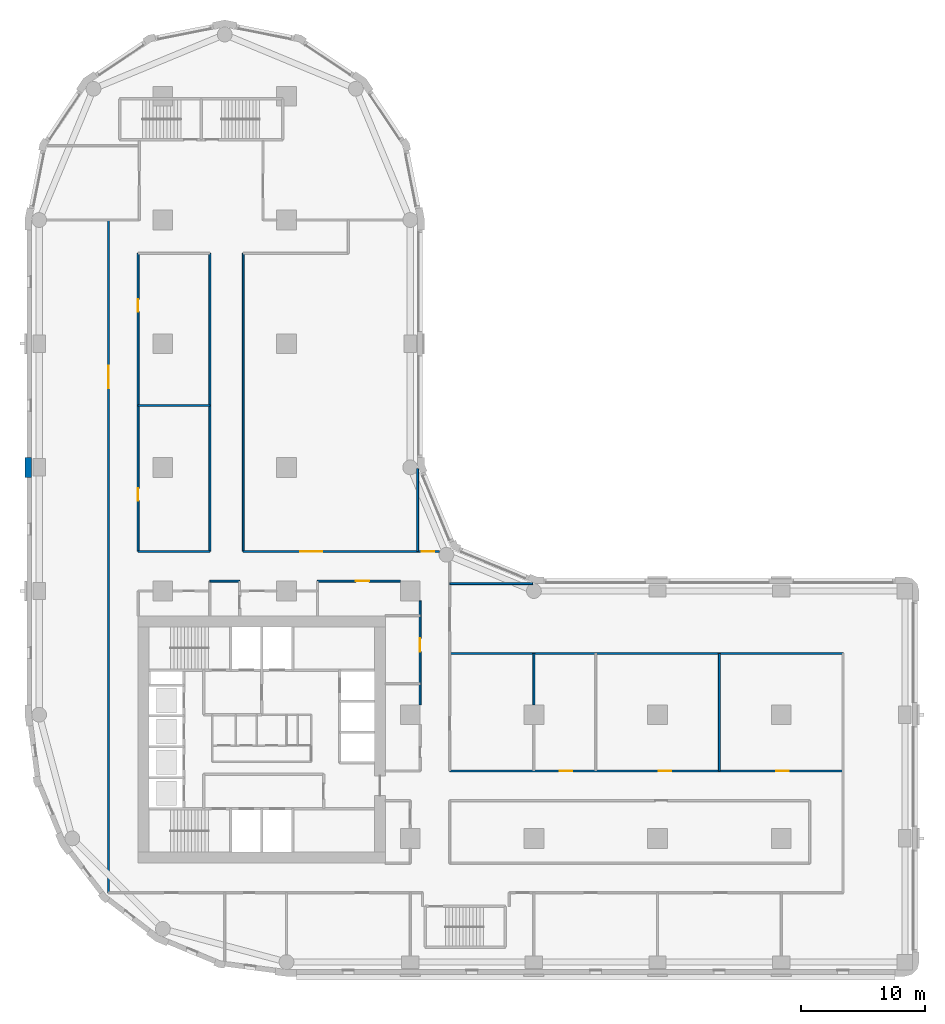
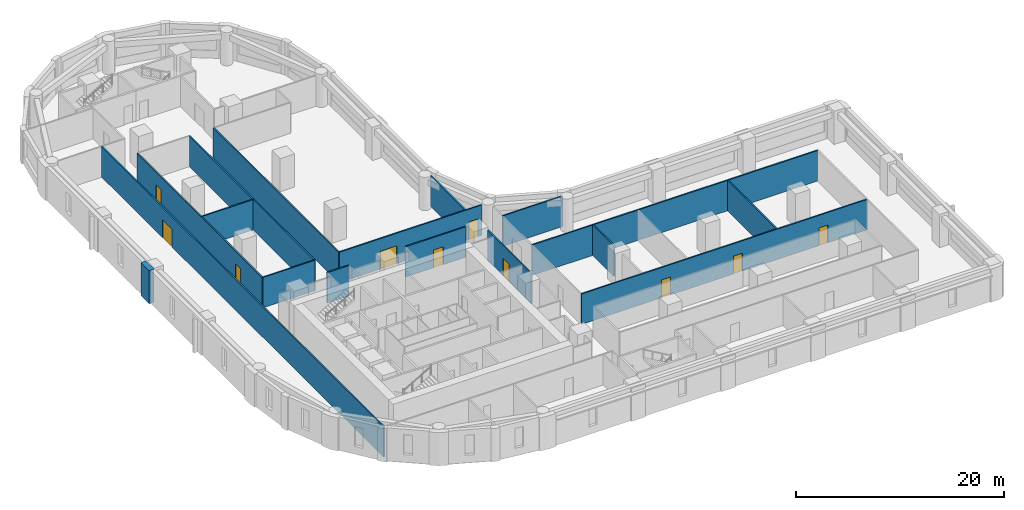
# One storey, part 5 of 11: 17 walls, 10 doors, 10 openings.
"""IFC4 building model written with IfcOpenShell, lengths in metres."""

from ifc_helpers import new_model, si_unit, direction, frame, frame_2d, origin, place, context, subcontext, project, spatial, polyline, rectangle, outline, extrude, material, layer, layer_set, type_object, element, fill, save


model = new_model("IFC4")

# Units and contexts
model_context = context("Model", 3, precision=1e-05, world=origin(), true_north=direction((0.0, 1.0)))
body_context = subcontext(model_context, "Body", "Model", "MODEL_VIEW")
ifc_project = project(units=[si_unit("LENGTHUNIT", "METRE"), si_unit("AREAUNIT", "SQUARE_METRE"), si_unit("VOLUMEUNIT", "CUBIC_METRE"), si_unit("PLANEANGLEUNIT", "RADIAN"), si_unit("MASSUNIT", "GRAM", prefix="KILO")], contexts=[model_context])

# Site, building, storey
site_placement = place(None, origin())
site = spatial("IfcSite", under=ifc_project, at=site_placement, CompositionType="ELEMENT")
building_placement = place(site_placement, origin())
building = spatial("IfcBuilding", under=site, at=building_placement, Name="Qaws Garden Tower", CompositionType="ELEMENT")
storey_placement = place(building_placement, frame((0.0, 0.0, 90.0)))
storey = spatial("IfcBuildingStorey", under=building, at=storey_placement, Name="L22", CompositionType="ELEMENT", Elevation=90.0)

# Wall
ifc_material_1 = material(Name="Clay facing brick masonry", Category="masonry")
ifc_layer_1 = layer(ifc_material_1, 0.550048828125)
ifc_layer_set_1 = layer_set([ifc_layer_1], Name="Clay facing brick masonry")
wall_type_1 = type_object("IfcWallType", Name="Brick pier 550 x 1600", PredefinedType="SOLIDWALL", material=ifc_layer_set_1)
wall_1_placement = place(storey_placement, origin())
element("IfcWall", 1, at=wall_1_placement, inside=storey, type_object=wall_type_1, Name="E-L22-pier-25", PredefinedType="SOLIDWALL", context=body_context, shape_type="SweptSolid", body=[
    extrude(outline(polyline([(-1.0, 40.800048828125), (-1.14990234375, 40.800048828125), (-1.14990234375, 40.0), (-1.14990234375, 39.199951171875), (-1.0, 39.199951171875), (-0.60009765625, 39.199951171875), (-0.60009765625, 40.0), (-0.60009765625, 40.800048828125), (-1.0, 40.800048828125)])), origin(), (0.0, 0.0, 1.0), 3.89990234375),
])

# Wall, opening, door
ifc_material_2 = material(Name="Gypsum board partition")
ifc_layer_2 = layer(ifc_material_2, 0.14990234375)
ifc_layer_set_2 = layer_set([ifc_layer_2], Name="Gypsum board partition")
wall_type_2 = type_object("IfcWallType", Name="PARTITION 150 EI 60", PredefinedType="PARTITIONING", material=ifc_layer_set_2)
wall_2_placement = place(storey_placement, frame((5.60009765625, 5.60009765625, 0.0), z_axis=(0.0, 0.0, 1.0), x_axis=(0.0, 1.0, 0.0)))
wall_2 = element("IfcWall", 2, at=wall_2_placement, inside=storey, type_object=wall_type_2, Name="O-L22-wall-001", PredefinedType="PARTITIONING", context=body_context, shape_type="SweptSolid", body=[
    extrude(rectangle(XDim=54.39990234375, YDim=0.14990234375, at=frame_2d((27.199951171875, 0.0))), origin(), (0.0, 0.0, 1.0), 3.580078125),
])
opening_1_placement = place(wall_2_placement, frame((40.800048828125, 0.0, 0.0)))
opening_1 = element("IfcOpeningElement", 3, at=opening_1_placement, cuts=wall_2, Name="Opening A701", PredefinedType="OPENING", context=body_context, shape_type="SweptSolid", body=[
    extrude(rectangle(XDim=1.800048828125, YDim=2.10009765625, at=frame_2d((0.89990234375, 1.050048828125))), frame((0.0, 0.0849609375, 0.0), z_axis=(0.0, -1.0, 0.0), x_axis=(1.0, 0.0, 0.0)), (0.0, 0.0, 1.0), 0.169921875),
])
ifc_material_3 = material(Name="Timber door leaf", Category="wood")
door_type_1 = type_object("IfcDoorType", Name="DOUBLE DOOR 1800 X 2100", OperationType="DOUBLE_DOOR_SINGLE_SWING", PredefinedType="DOOR", material=ifc_material_3)
door_1_placement = place(opening_1_placement, origin())
door_1 = element("IfcDoor", 4, at=door_1_placement, inside=storey, type_object=door_type_1, Name="O-L22-door-001", OperationType="DOUBLE_DOOR_SINGLE_SWING", OverallHeight=2.10009765625, OverallWidth=1.800048828125, PredefinedType="DOOR", context=body_context, shape_type="SweptSolid", body=[
    extrude(rectangle(XDim=1.800048828125, YDim=2.10009765625, at=frame_2d((0.89990234375, 1.050048828125))), frame((0.0, 0.02490234375, 0.0), z_axis=(0.0, -1.0, 0.0), x_axis=(1.0, 0.0, 0.0)), (0.0, 0.0, 1.0), 0.050048828125),
])
fill(opening_1, door_1)

# Wall, openings, doors
wall_3_placement = place(storey_placement, frame((8.0, 33.199951171875, 0.0), z_axis=(0.0, 0.0, 1.0), x_axis=(0.0, 1.0, 0.0)))
wall_3 = element("IfcWall", 5, at=wall_3_placement, inside=storey, type_object=wall_type_2, Name="O-L22-wall-003", PredefinedType="PARTITIONING", context=body_context, shape_type="SweptSolid", body=[
    extrude(rectangle(XDim=24.10009765625, YDim=0.14990234375, at=frame_2d((12.050048828125, 0.0))), origin(), (0.0, 0.0, 1.0), 3.580078125),
])
opening_2_placement = place(wall_3_placement, frame((4.10009765625, 0.0, 0.0)))
opening_2 = element("IfcOpeningElement", 6, at=opening_2_placement, cuts=wall_3, Name="Opening A712", PredefinedType="OPENING", context=body_context, shape_type="SweptSolid", body=[
    extrude(rectangle(XDim=1.0, YDim=2.10009765625, at=frame_2d((0.5, 1.050048828125))), frame((0.0, 0.0849609375, 0.0), z_axis=(0.0, -1.0, 0.0), x_axis=(1.0, 0.0, 0.0)), (0.0, 0.0, 1.0), 0.169921875),
])
opening_3_placement = place(wall_3_placement, frame((19.39990234375, 0.0, 0.0)))
opening_3 = element("IfcOpeningElement", 7, at=opening_3_placement, cuts=wall_3, Name="Opening A714", PredefinedType="OPENING", context=body_context, shape_type="SweptSolid", body=[
    extrude(rectangle(XDim=1.0, YDim=2.10009765625, at=frame_2d((0.5, 1.050048828125))), frame((0.0, 0.0849609375, 0.0), z_axis=(0.0, -1.0, 0.0), x_axis=(1.0, 0.0, 0.0)), (0.0, 0.0, 1.0), 0.169921875),
])
ifc_material_4 = material(Name="Timber door leaf", Category="wood")
door_type_2 = type_object("IfcDoorType", Name="TENANCY ENTRANCE DOOR 1000 X 2100", OperationType="SINGLE_SWING_LEFT", PredefinedType="DOOR", material=ifc_material_4)
door_2_placement = place(opening_2_placement, frame((1.0, 0.0, 0.0), z_axis=(0.0, 0.0, 1.0), x_axis=(-1.0, 0.0, 0.0)))
door_2 = element("IfcDoor", 8, at=door_2_placement, inside=storey, type_object=door_type_2, Name="O-L22-door-012", OperationType="SINGLE_SWING_RIGHT", OverallHeight=2.10009765625, OverallWidth=1.0, PredefinedType="DOOR", context=body_context, shape_type="SweptSolid", body=[
    extrude(rectangle(XDim=1.0, YDim=2.10009765625, at=frame_2d((0.5, 1.050048828125))), frame((0.0, 0.02490234375, 0.0), z_axis=(0.0, -1.0, 0.0), x_axis=(1.0, 0.0, 0.0)), (0.0, 0.0, 1.0), 0.050048828125),
])
fill(opening_2, door_2)
door_3_placement = place(opening_3_placement, frame((1.0, 0.0, 0.0), z_axis=(0.0, 0.0, 1.0), x_axis=(-1.0, 0.0, 0.0)))
door_3 = element("IfcDoor", 9, at=door_3_placement, inside=storey, type_object=door_type_2, Name="O-L22-door-014", OperationType="SINGLE_SWING_RIGHT", OverallHeight=2.10009765625, OverallWidth=1.0, PredefinedType="DOOR", context=body_context, shape_type="SweptSolid", body=[
    extrude(rectangle(XDim=1.0, YDim=2.10009765625, at=frame_2d((0.5, 1.050048828125))), frame((0.0, 0.02490234375, 0.0), z_axis=(0.0, -1.0, 0.0), x_axis=(1.0, 0.0, 0.0)), (0.0, 0.0, 1.0), 0.050048828125),
])
fill(opening_3, door_3)

# Walls
for number, where, z_axis, x_axis, name in (
    (10, (13.800048828125, 33.199951171875, 0.0), (0.0, 0.0, 1.0), (0.0, 1.0, 0.0), "O-L22-wall-006"),
    (11, (16.5, 33.199951171875, 0.0), (0.0, 0.0, 1.0), (0.0, 1.0, 0.0), "O-L22-wall-009"),
):
    element("IfcWall", number, at=place(storey_placement, frame(where, z_axis=z_axis, x_axis=x_axis)), inside=storey, type_object=wall_type_2, Name=name, PredefinedType="PARTITIONING", context=body_context, shape_type="SweptSolid", body=[
        extrude(rectangle(XDim=24.10009765625, YDim=0.14990234375, at=frame_2d((12.050048828125, 0.0))), origin(), (0.0, 0.0, 1.0), 3.580078125),
    ])
wall_4_placement = place(storey_placement, frame((30.60009765625, 33.199951171875, 0.0), z_axis=(0.0, 0.0, 1.0), x_axis=(0.0, 1.0, 0.0)))
element("IfcWall", 12, at=wall_4_placement, inside=storey, type_object=wall_type_2, Name="O-L22-wall-017", PredefinedType="PARTITIONING", context=body_context, shape_type="SweptSolid", body=[
    extrude(rectangle(XDim=6.698974609375, YDim=0.14990234375, at=frame_2d((3.349609375, 0.0))), origin(), (0.0, 0.0, 1.0), 3.580078125),
])

# Wall, opening, door
wall_5_placement = place(storey_placement, frame((30.800048828125, 20.800048828125, 0.0), z_axis=(0.0, 0.0, 1.0), x_axis=(0.0, 1.0, 0.0)))
wall_5 = element("IfcWall", 13, at=wall_5_placement, inside=storey, type_object=wall_type_2, Name="O-L22-wall-019", PredefinedType="PARTITIONING", context=body_context, shape_type="SweptSolid", body=[
    extrude(rectangle(XDim=8.39990234375, YDim=0.14990234375, at=frame_2d((4.199951171875, 0.0))), origin(), (0.0, 0.0, 1.0), 3.580078125),
])
opening_4_placement = place(wall_5_placement, frame((4.300048828125, 0.0, 0.0)))
opening_4 = element("IfcOpeningElement", 14, at=opening_4_placement, cuts=wall_5, Name="Opening A708", PredefinedType="OPENING", context=body_context, shape_type="SweptSolid", body=[
    extrude(rectangle(XDim=1.10009765625, YDim=2.10009765625, at=frame_2d((0.550048828125, 1.050048828125))), frame((0.0, 0.0849609375, 0.0), z_axis=(0.0, -1.0, 0.0), x_axis=(1.0, 0.0, 0.0)), (0.0, 0.0, 1.0), 0.169921875),
])
ifc_material_5 = material(Name="Timber door leaf", Category="wood")
door_type_3 = type_object("IfcDoorType", Name="SERVICE ROOM DOOR 1100 X 2100", OperationType="SINGLE_SWING_LEFT", PredefinedType="DOOR", material=ifc_material_5)
door_4_placement = place(opening_4_placement, origin())
door_4 = element("IfcDoor", 15, at=door_4_placement, inside=storey, type_object=door_type_3, Name="O-L22-door-008", OperationType="SINGLE_SWING_RIGHT", OverallHeight=2.10009765625, OverallWidth=1.10009765625, PredefinedType="DOOR", context=body_context, shape_type="SweptSolid", body=[
    extrude(rectangle(XDim=1.10009765625, YDim=2.10009765625, at=frame_2d((0.550048828125, 1.050048828125))), frame((0.0, 0.02490234375, 0.0), z_axis=(0.0, -1.0, 0.0), x_axis=(1.0, 0.0, 0.0)), (0.0, 0.0, 1.0), 0.050048828125),
])
fill(opening_4, door_4)

# Walls
wall_6_placement = place(storey_placement, frame((40.0, 20.800048828125, 0.0), z_axis=(0.0, 0.0, 1.0), x_axis=(0.0, 1.0, 0.0)))
element("IfcWall", 16, at=wall_6_placement, inside=storey, type_object=wall_type_2, Name="O-L22-wall-026", PredefinedType="PARTITIONING", context=body_context, shape_type="SweptSolid", body=[
    extrude(rectangle(XDim=4.14990234375, YDim=0.14990234375, at=frame_2d((2.074951171875, 0.0))), origin(), (0.0, 0.0, 1.0), 3.580078125),
])
wall_7_placement = place(storey_placement, frame((55.0, 15.449951171875, 0.0), z_axis=(0.0, 0.0, 1.0), x_axis=(0.0, 1.0, 0.0)))
element("IfcWall", 17, at=wall_7_placement, inside=storey, type_object=wall_type_2, Name="O-L22-wall-029", PredefinedType="PARTITIONING", context=body_context, shape_type="SweptSolid", body=[
    extrude(rectangle(XDim=9.5, YDim=0.14990234375, at=frame_2d((4.75, 0.0))), origin(), (0.0, 0.0, 1.0), 3.580078125),
])

# Wall, openings, doors
wall_8_placement = place(storey_placement, frame((33.199951171875, 15.449951171875, 0.0), z_axis=(0.0, 0.0, 1.0), x_axis=(1.0, 0.0, 0.0)))
wall_8 = element("IfcWall", 18, at=wall_8_placement, inside=storey, type_object=wall_type_2, Name="O-L22-wall-040", PredefinedType="PARTITIONING", context=body_context, shape_type="SweptSolid", body=[
    extrude(rectangle(XDim=31.800048828125, YDim=0.14990234375, at=frame_2d((15.89990234375, 0.0))), origin(), (0.0, 0.0, 1.0), 3.580078125),
])
opening_5_placement = place(wall_8_placement, frame((16.89990234375, 0.0, 0.0)))
opening_5 = element("IfcOpeningElement", 19, at=opening_5_placement, cuts=wall_8, Name="Opening A703", PredefinedType="OPENING", context=body_context, shape_type="SweptSolid", body=[
    extrude(rectangle(XDim=1.0, YDim=2.10009765625, at=frame_2d((0.5, 1.050048828125))), frame((0.0, 0.0849609375, 0.0), z_axis=(0.0, -1.0, 0.0), x_axis=(1.0, 0.0, 0.0)), (0.0, 0.0, 1.0), 0.169921875),
])
opening_6_placement = place(wall_8_placement, frame((26.39990234375, 0.0, 0.0)))
opening_6 = element("IfcOpeningElement", 20, at=opening_6_placement, cuts=wall_8, Name="Opening A704", PredefinedType="OPENING", context=body_context, shape_type="SweptSolid", body=[
    extrude(rectangle(XDim=1.0, YDim=2.10009765625, at=frame_2d((0.5, 1.050048828125))), frame((0.0, 0.0849609375, 0.0), z_axis=(0.0, -1.0, 0.0), x_axis=(1.0, 0.0, 0.0)), (0.0, 0.0, 1.0), 0.169921875),
])
opening_7_placement = place(wall_8_placement, frame((8.89990234375, 0.0, 0.0)))
opening_7 = element("IfcOpeningElement", 21, at=opening_7_placement, cuts=wall_8, Name="Opening A725", PredefinedType="OPENING", context=body_context, shape_type="SweptSolid", body=[
    extrude(rectangle(XDim=1.0, YDim=2.10009765625, at=frame_2d((0.5, 1.050048828125))), frame((0.0, 0.0849609375, 0.0), z_axis=(0.0, -1.0, 0.0), x_axis=(1.0, 0.0, 0.0)), (0.0, 0.0, 1.0), 0.169921875),
])
door_5_placement = place(opening_5_placement, origin())
door_5 = element("IfcDoor", 22, at=door_5_placement, inside=storey, type_object=door_type_2, Name="O-L22-door-003", OperationType="SINGLE_SWING_LEFT", OverallHeight=2.10009765625, OverallWidth=1.0, PredefinedType="DOOR", context=body_context, shape_type="SweptSolid", body=[
    extrude(rectangle(XDim=1.0, YDim=2.10009765625, at=frame_2d((0.5, 1.050048828125))), frame((0.0, 0.02490234375, 0.0), z_axis=(0.0, -1.0, 0.0), x_axis=(1.0, 0.0, 0.0)), (0.0, 0.0, 1.0), 0.050048828125),
])
fill(opening_5, door_5)
door_6_placement = place(opening_6_placement, origin())
door_6 = element("IfcDoor", 23, at=door_6_placement, inside=storey, type_object=door_type_2, Name="O-L22-door-004", OperationType="SINGLE_SWING_LEFT", OverallHeight=2.10009765625, OverallWidth=1.0, PredefinedType="DOOR", context=body_context, shape_type="SweptSolid", body=[
    extrude(rectangle(XDim=1.0, YDim=2.10009765625, at=frame_2d((0.5, 1.050048828125))), frame((0.0, 0.02490234375, 0.0), z_axis=(0.0, -1.0, 0.0), x_axis=(1.0, 0.0, 0.0)), (0.0, 0.0, 1.0), 0.050048828125),
])
fill(opening_6, door_6)
door_7_placement = place(opening_7_placement, origin())
door_7 = element("IfcDoor", 24, at=door_7_placement, inside=storey, type_object=door_type_2, Name="O-L22-door-025", OperationType="SINGLE_SWING_LEFT", OverallHeight=2.10009765625, OverallWidth=1.0, PredefinedType="DOOR", context=body_context, shape_type="SweptSolid", body=[
    extrude(rectangle(XDim=1.0, YDim=2.10009765625, at=frame_2d((0.5, 1.050048828125))), frame((0.0, 0.02490234375, 0.0), z_axis=(0.0, -1.0, 0.0), x_axis=(1.0, 0.0, 0.0)), (0.0, 0.0, 1.0), 0.050048828125),
])
fill(opening_7, door_7)

# Walls
wall_9_placement = place(storey_placement, frame((33.199951171875, 24.949951171875, 0.0), z_axis=(0.0, 0.0, 1.0), x_axis=(1.0, 0.0, 0.0)))
element("IfcWall", 25, at=wall_9_placement, inside=storey, type_object=wall_type_2, Name="O-L22-wall-042", PredefinedType="PARTITIONING", context=body_context, shape_type="SweptSolid", body=[
    extrude(rectangle(XDim=31.800048828125, YDim=0.14990234375, at=frame_2d((15.89990234375, 0.0))), origin(), (0.0, 0.0, 1.0), 3.580078125),
])
wall_10_placement = place(storey_placement, frame((33.199951171875, 30.60009765625, 0.0), z_axis=(0.0, 0.0, 1.0), x_axis=(1.0, 0.0, 0.0)))
element("IfcWall", 26, at=wall_10_placement, inside=storey, type_object=wall_type_2, Name="O-L22-wall-048", PredefinedType="PARTITIONING", context=body_context, shape_type="SweptSolid", body=[
    extrude(rectangle(XDim=6.698974609375, YDim=0.14990234375, at=frame_2d((3.349609375, 0.0))), origin(), (0.0, 0.0, 1.0), 3.580078125),
])
wall_11_placement = place(storey_placement, frame((13.800048828125, 30.800048828125, 0.0), z_axis=(0.0, 0.0, 1.0), x_axis=(1.0, 0.0, 0.0)))
element("IfcWall", 27, at=wall_11_placement, inside=storey, type_object=wall_type_2, Name="O-L22-wall-049", PredefinedType="PARTITIONING", context=body_context, shape_type="SweptSolid", body=[
    extrude(rectangle(XDim=2.39990234375, YDim=0.14990234375, at=frame_2d((1.199951171875, 0.0))), origin(), (0.0, 0.0, 1.0), 3.580078125),
])

# Wall, opening, door
wall_12_placement = place(storey_placement, frame((22.5, 30.800048828125, 0.0), z_axis=(0.0, 0.0, 1.0), x_axis=(1.0, 0.0, 0.0)))
wall_12 = element("IfcWall", 28, at=wall_12_placement, inside=storey, type_object=wall_type_2, Name="O-L22-wall-050", PredefinedType="PARTITIONING", context=body_context, shape_type="SweptSolid", body=[
    extrude(rectangle(XDim=6.699951171875, YDim=0.14990234375, at=frame_2d((3.35009765625, 0.0))), origin(), (0.0, 0.0, 1.0), 3.580078125),
])
opening_8_placement = place(wall_12_placement, frame((3.10009765625, 0.0, 0.0)))
opening_8 = element("IfcOpeningElement", 29, at=opening_8_placement, cuts=wall_12, Name="Opening A711", PredefinedType="OPENING", context=body_context, shape_type="SweptSolid", body=[
    extrude(rectangle(XDim=1.10009765625, YDim=2.10009765625, at=frame_2d((0.550048828125, 1.050048828125))), frame((0.0, 0.0849609375, 0.0), z_axis=(0.0, -1.0, 0.0), x_axis=(1.0, 0.0, 0.0)), (0.0, 0.0, 1.0), 0.169921875),
])
door_8_placement = place(opening_8_placement, frame((1.10009765625, 0.0, 0.0), z_axis=(0.0, 0.0, 1.0), x_axis=(-1.0, 0.0, 0.0)))
door_8 = element("IfcDoor", 30, at=door_8_placement, inside=storey, type_object=door_type_3, Name="O-L22-door-011", OperationType="SINGLE_SWING_LEFT", OverallHeight=2.10009765625, OverallWidth=1.10009765625, PredefinedType="DOOR", context=body_context, shape_type="SweptSolid", body=[
    extrude(rectangle(XDim=1.10009765625, YDim=2.10009765625, at=frame_2d((0.550048828125, 1.050048828125))), frame((0.0, 0.02490234375, 0.0), z_axis=(0.0, -1.0, 0.0), x_axis=(1.0, 0.0, 0.0)), (0.0, 0.0, 1.0), 0.050048828125),
])
fill(opening_8, door_8)

# Wall
wall_13_placement = place(storey_placement, frame((8.0, 33.199951171875, 0.0), z_axis=(0.0, 0.0, 1.0), x_axis=(1.0, 0.0, 0.0)))
element("IfcWall", 31, at=wall_13_placement, inside=storey, type_object=wall_type_2, Name="O-L22-wall-051", PredefinedType="PARTITIONING", context=body_context, shape_type="SweptSolid", body=[
    extrude(rectangle(XDim=5.800048828125, YDim=0.14990234375, at=frame_2d((2.89990234375, 0.0))), origin(), (0.0, 0.0, 1.0), 3.580078125),
])

# Wall, openings, doors
wall_14_placement = place(storey_placement, frame((16.5, 33.199951171875, 0.0), z_axis=(0.0, 0.0, 1.0), x_axis=(1.0, 0.0, 0.0)))
wall_14 = element("IfcWall", 32, at=wall_14_placement, inside=storey, type_object=wall_type_2, Name="O-L22-wall-052", PredefinedType="PARTITIONING", context=body_context, shape_type="SweptSolid", body=[
    extrude(rectangle(XDim=15.862060546875, YDim=0.14990234375, at=frame_2d((7.93115234375, 0.0))), origin(), (0.0, 0.0, 1.0), 3.580078125),
])
opening_9_placement = place(wall_14_placement, frame((4.60009765625, 0.0, 0.0)))
opening_9 = element("IfcOpeningElement", 33, at=opening_9_placement, cuts=wall_14, Name="Opening A715", PredefinedType="OPENING", context=body_context, shape_type="SweptSolid", body=[
    extrude(rectangle(XDim=1.800048828125, YDim=2.10009765625, at=frame_2d((0.89990234375, 1.050048828125))), frame((0.0, 0.0849609375, 0.0), z_axis=(0.0, -1.0, 0.0), x_axis=(1.0, 0.0, 0.0)), (0.0, 0.0, 1.0), 0.169921875),
])
opening_10_placement = place(wall_14_placement, frame((14.449951171875, 0.0, 0.0)))
opening_10 = element("IfcOpeningElement", 34, at=opening_10_placement, cuts=wall_14, Name="Opening A718", PredefinedType="OPENING", context=body_context, shape_type="SweptSolid", body=[
    extrude(rectangle(XDim=1.0, YDim=2.10009765625, at=frame_2d((0.5, 1.050048828125))), frame((0.0, 0.0849609375, 0.0), z_axis=(0.0, -1.0, 0.0), x_axis=(1.0, 0.0, 0.0)), (0.0, 0.0, 1.0), 0.169921875),
])
door_9_placement = place(opening_9_placement, origin())
door_9 = element("IfcDoor", 35, at=door_9_placement, inside=storey, type_object=door_type_1, Name="O-L22-door-015", OperationType="DOUBLE_DOOR_SINGLE_SWING", OverallHeight=2.10009765625, OverallWidth=1.800048828125, PredefinedType="DOOR", context=body_context, shape_type="SweptSolid", body=[
    extrude(rectangle(XDim=1.800048828125, YDim=2.10009765625, at=frame_2d((0.89990234375, 1.050048828125))), frame((0.0, 0.02490234375, 0.0), z_axis=(0.0, -1.0, 0.0), x_axis=(1.0, 0.0, 0.0)), (0.0, 0.0, 1.0), 0.050048828125),
])
fill(opening_9, door_9)
door_10_placement = place(opening_10_placement, origin())
door_10 = element("IfcDoor", 36, at=door_10_placement, inside=storey, type_object=door_type_2, Name="O-L22-door-018", OperationType="SINGLE_SWING_LEFT", OverallHeight=2.10009765625, OverallWidth=1.0, PredefinedType="DOOR", context=body_context, shape_type="SweptSolid", body=[
    extrude(rectangle(XDim=1.0, YDim=2.10009765625, at=frame_2d((0.5, 1.050048828125))), frame((0.0, 0.02490234375, 0.0), z_axis=(0.0, -1.0, 0.0), x_axis=(1.0, 0.0, 0.0)), (0.0, 0.0, 1.0), 0.050048828125),
])
fill(opening_10, door_10)

# Wall
wall_15_placement = place(storey_placement, frame((8.0, 45.0, 0.0), z_axis=(0.0, 0.0, 1.0), x_axis=(1.0, 0.0, 0.0)))
element("IfcWall", 37, at=wall_15_placement, inside=storey, type_object=wall_type_2, Name="O-L22-wall-053", PredefinedType="PARTITIONING", context=body_context, shape_type="SweptSolid", body=[
    extrude(rectangle(XDim=5.800048828125, YDim=0.14990234375, at=frame_2d((2.89990234375, 0.0))), origin(), (0.0, 0.0, 1.0), 3.580078125),
])

save(model, "model.ifc")
